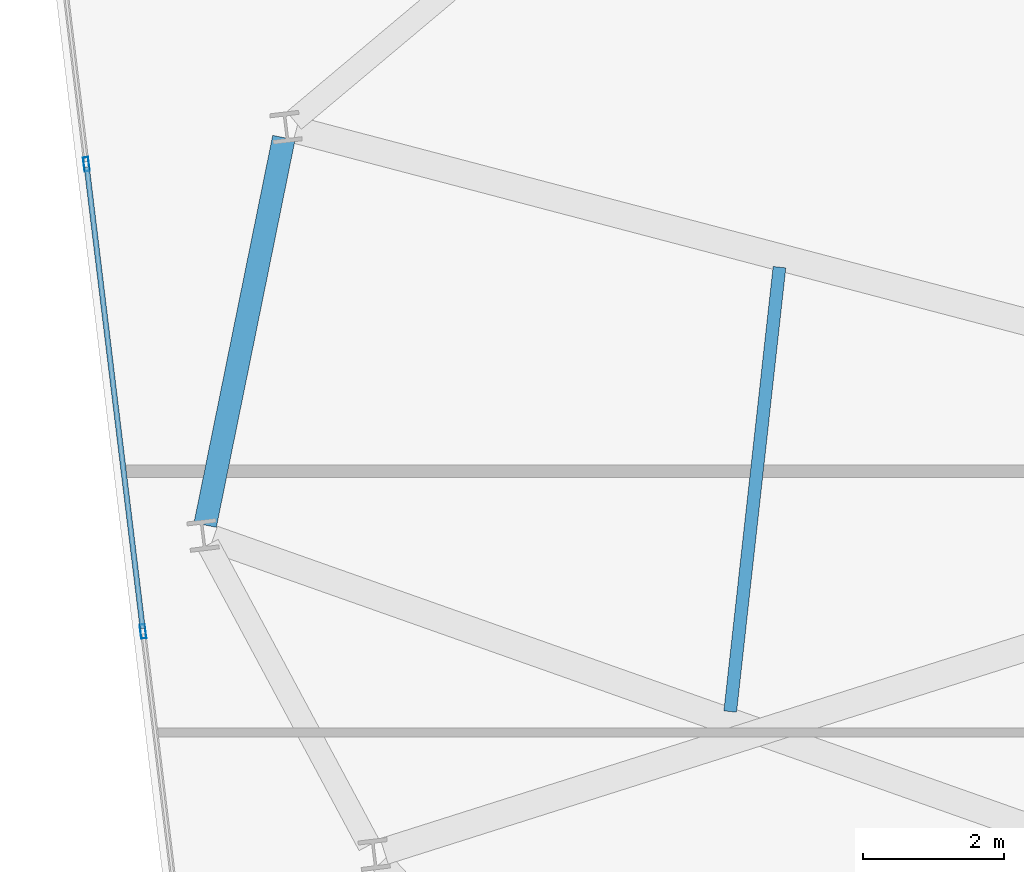
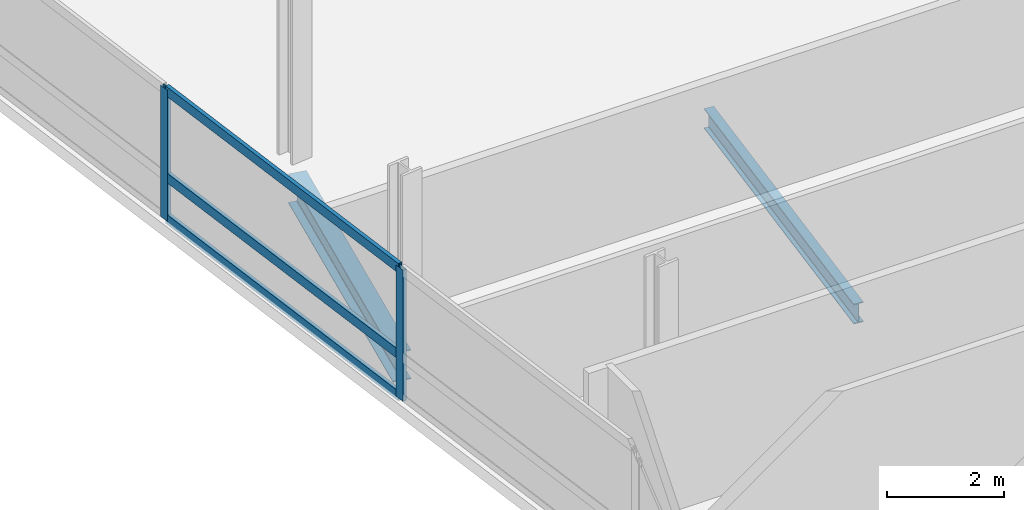
# One storey, part 6 of 22: 5 members, 2 beams, 1 element without a shape of its own.
"""IFC4 building model written with IfcOpenShell, lengths in metres."""

from ifc_helpers import new_model, si_unit, direction, frame, origin, origin_2d, place, context, subcontext, project, spatial, hollow_rectangle, i_section, extrude, material, layer, layer_set, material_profile, profile_set, type_object, element, aggregate, save


model = new_model("IFC4")

# Units and contexts
model_context = context("Model", 3, precision=1e-05, world=origin(), true_north=direction((0.0, 1.0)))
body_context = subcontext(model_context, "Body", "Model", "MODEL_VIEW")
ifc_project = project(units=[si_unit("LENGTHUNIT", "METRE"), si_unit("AREAUNIT", "SQUARE_METRE"), si_unit("VOLUMEUNIT", "CUBIC_METRE"), si_unit("PLANEANGLEUNIT", "RADIAN"), si_unit("MASSUNIT", "GRAM", prefix="KILO")], contexts=[model_context])

# Site, building, storey
site_placement = place(None, origin())
site = spatial("IfcSite", under=ifc_project, at=site_placement, CompositionType="ELEMENT")
building_placement = place(site_placement, origin())
building = spatial("IfcBuilding", under=site, at=building_placement, Name="Varnelok Gate Tower", CompositionType="ELEMENT")
storey_placement = place(building_placement, frame((0.0, 0.0, 185.699951171875)))
storey = spatial("IfcBuildingStorey", under=building, at=storey_placement, Name="L47", CompositionType="ELEMENT", Elevation=185.699951171875)

# Beams
ifc_material_1 = material(Name="Structural Steel ASTM A992 Grade 50", Category="steel")
ifc_material_profile_1 = material_profile(ifc_material_1, i_section(OverallWidth=0.180908203125, OverallDepth=0.4169921875, WebThickness=0.010986328125, FlangeThickness=0.018310546875, FilletRadius=0.013916015625, at=origin_2d()), Name="W16X57")
ifc_profile_set_1 = profile_set([ifc_material_profile_1], Name="Structural Steel ASTM A992 Grade 50")
beam_type_1 = type_object("IfcBeamType", Name="BM-JST-W16X57", PredefinedType="JOIST", material=ifc_profile_set_1)
beam_1_placement = place(storey_placement, frame((12.928955078125, 29.554443359375, -0.45849609375), z_axis=(-0.110165546405, -0.993913251942, 0.0), x_axis=(0.993913251942, -0.110165546405, 0.0)))
element("IfcBeam", 1, at=beam_1_placement, inside=storey, type_object=beam_type_1, Name="L47 Sector Floor Joist 11", PredefinedType="JOIST", context=body_context, shape_type="SweptSolid", body=[
    extrude(i_section(OverallWidth=0.180908203125, OverallDepth=0.4169921875, WebThickness=0.010986328125, FlangeThickness=0.018310546875, FilletRadius=0.013916015625, at=origin_2d()), origin(), (0.0, 0.0, 1.0), 6.346923828125),
])
ifc_material_profile_2 = material_profile(ifc_material_1, i_section(OverallWidth=0.323974609375, OverallDepth=0.611083984375, WebThickness=0.0126953125, FlangeThickness=0.01904296875, FilletRadius=0.01806640625, at=origin_2d()), Name="W24X104")
ifc_profile_set_2 = profile_set([ifc_material_profile_2], Name="Structural Steel ASTM A992 Grade 50")
beam_type_2 = type_object("IfcBeamType", Name="BM-SPN-W24X104", PredefinedType="SPANDREL", material=ifc_profile_set_2)
beam_2_placement = place(storey_placement, frame((5.893310546875, 31.393798828125, -0.555419921875), z_axis=(-0.199143476404, -0.97997034435, 0.0), x_axis=(0.97997034435, -0.199143476404, 0.0)))
element("IfcBeam", 2, at=beam_2_placement, inside=storey, type_object=beam_type_2, Name="L47 Perimeter Spandrel Beam 14", PredefinedType="SPANDREL", context=body_context, shape_type="SweptSolid", body=[
    extrude(i_section(OverallWidth=0.323974609375, OverallDepth=0.611083984375, WebThickness=0.0126953125, FlangeThickness=0.01904296875, FilletRadius=0.01806640625, at=origin_2d()), origin(), (0.0, 0.0, 1.0), 5.6123046875),
])

# Curtain wall, members
ifc_material_2 = material(Name="Anodized Aluminum Alloy 6063-T6", Category="aluminium")
ifc_layer = layer(ifc_material_2, 0.179931640625)
ifc_layer_set = layer_set([ifc_layer], Name="Anodized Aluminum Alloy 6063-T6")
curtain_wall_type = type_object("IfcCurtainWallType", Name="CW4-RESIDENCE-VISION", PredefinedType="USERDEFINED", material=ifc_layer_set)
curtain_wall_placement = place(storey_placement, origin())
curtain_wall = element("IfcCurtainWall", 3, at=curtain_wall_placement, inside=storey, type_object=curtain_wall_type, Name="L47 West End Vision Curtain Wall", ObjectType="UNITISED CURTAIN WALL", PredefinedType="USERDEFINED")
ifc_material_profile_3 = material_profile(ifc_material_2, hollow_rectangle(XDim=0.074951171875, YDim=0.199951171875, WallThickness=0.00390625, at=origin_2d()), Name="ALU200X75X4")
ifc_profile_set_3 = profile_set([ifc_material_profile_3], Name="Anodized Aluminum Alloy 6063-T6")
member_type_1 = type_object("IfcMemberType", Name="CW-MULL-200", PredefinedType="MULLION", material=ifc_profile_set_3)
member_1_placement = place(storey_placement, frame((3.8935546875, 24.384521484375, 0.0), z_axis=(0.0, 0.0, 1.0), x_axis=(-0.992732188751, -0.120344511371, 0.0)))
member_1 = element("IfcMember", 4, at=member_1_placement, type_object=member_type_1, Name="CW4 mullion 4", PredefinedType="MULLION", context=body_context, shape_type="SweptSolid", body=[
    extrude(hollow_rectangle(XDim=0.074951171875, YDim=0.199951171875, WallThickness=0.00390625, at=origin_2d()), origin(), (0.0, 0.0, 1.0), 2.72998046875),
])
member_2_placement = place(storey_placement, frame((3.089599609375, 31.015869140625, 0.0), z_axis=(0.0, 0.0, 1.0), x_axis=(-0.992732188751, -0.120344511371, 0.0)))
member_2 = element("IfcMember", 5, at=member_2_placement, type_object=member_type_1, Name="CW4 mullion 5", PredefinedType="MULLION", context=body_context, shape_type="SweptSolid", body=[
    extrude(hollow_rectangle(XDim=0.074951171875, YDim=0.199951171875, WallThickness=0.00390625, at=origin_2d()), origin(), (0.0, 0.0, 1.0), 2.72998046875),
])
ifc_material_profile_4 = material_profile(ifc_material_2, hollow_rectangle(XDim=0.074951171875, YDim=0.199951171875, WallThickness=0.00390625, at=origin_2d()), Name="ALU200X75X4")
ifc_profile_set_4 = profile_set([ifc_material_profile_4], Name="Anodized Aluminum Alloy 6063-T6")
member_type_2 = type_object("IfcMemberType", Name="CW-TRAN-200", PredefinedType="USERDEFINED", material=ifc_profile_set_4)
member_3_placement = place(storey_placement, frame((3.88916015625, 24.421630859375, 0.03759765625), z_axis=(-0.120353445289, 0.992731105691, 0.0), x_axis=(-0.992731105691, -0.120353445289, 0.0)))
member_3 = element("IfcMember", 6, at=member_3_placement, type_object=member_type_2, Name="CW4 transom 4.1", ObjectType="TRANSOM", PredefinedType="USERDEFINED", context=body_context, shape_type="SweptSolid", body=[
    extrude(hollow_rectangle(XDim=0.074951171875, YDim=0.199951171875, WallThickness=0.00390625, at=origin_2d()), origin(), (0.0, 0.0, 1.0), 6.60498046875),
])
member_4_placement = place(storey_placement, frame((3.88916015625, 24.421630859375, 0.900146484375), z_axis=(-0.120353445289, 0.992731105691, 0.0), x_axis=(-0.992731105691, -0.120353445289, 0.0)))
member_4 = element("IfcMember", 7, at=member_4_placement, type_object=member_type_2, Name="CW4 transom 4.2", ObjectType="TRANSOM", PredefinedType="USERDEFINED", context=body_context, shape_type="SweptSolid", body=[
    extrude(hollow_rectangle(XDim=0.074951171875, YDim=0.199951171875, WallThickness=0.00390625, at=origin_2d()), origin(), (0.0, 0.0, 1.0), 6.60498046875),
])
member_5_placement = place(storey_placement, frame((3.88916015625, 24.421630859375, 2.692626953125), z_axis=(-0.120353445289, 0.992731105691, 0.0), x_axis=(-0.992731105691, -0.120353445289, 0.0)))
member_5 = element("IfcMember", 8, at=member_5_placement, type_object=member_type_2, Name="CW4 transom 4.3", ObjectType="TRANSOM", PredefinedType="USERDEFINED", context=body_context, shape_type="SweptSolid", body=[
    extrude(hollow_rectangle(XDim=0.074951171875, YDim=0.199951171875, WallThickness=0.00390625, at=origin_2d()), origin(), (0.0, 0.0, 1.0), 6.60498046875),
])
aggregate(curtain_wall, [member_1, member_2, member_3, member_4, member_5])

save(model, "model.ifc")
